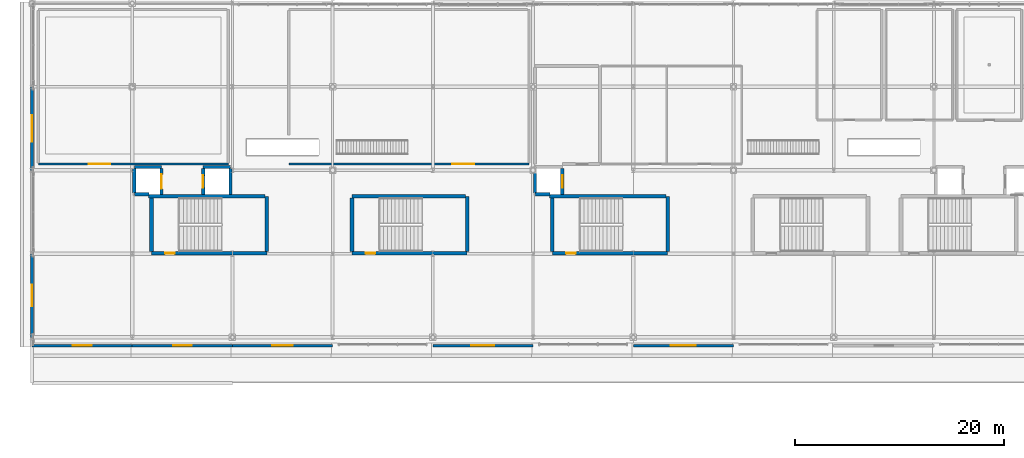
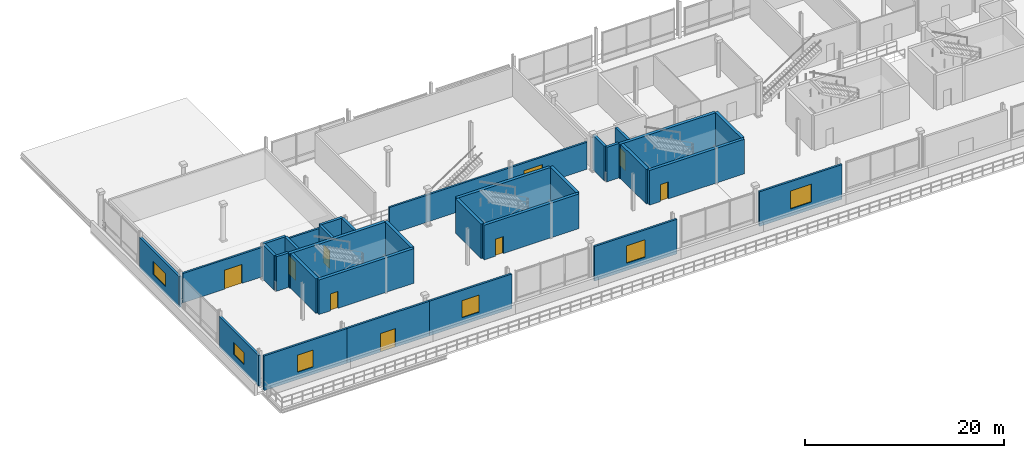
# One storey, part 23 of 36: 31 walls, 9 doors, 6 windows, 15 openings.
"""IFC4 building model written with IfcOpenShell, lengths in metres."""

from ifc_helpers import new_model, si_unit, direction, frame, frame_2d, origin, place, context, subcontext, project, spatial, rectangle, extrude, material, layer, layer_set, type_object, element, fill, save


model = new_model("IFC4")

# Units and contexts
model_context = context("Model", 3, precision=1e-05, world=origin(), true_north=direction((0.0, 1.0)))
body_context = subcontext(model_context, "Body", "Model", "MODEL_VIEW")
ifc_project = project(units=[si_unit("LENGTHUNIT", "METRE"), si_unit("AREAUNIT", "SQUARE_METRE"), si_unit("VOLUMEUNIT", "CUBIC_METRE"), si_unit("PLANEANGLEUNIT", "RADIAN"), si_unit("MASSUNIT", "GRAM", prefix="KILO")], contexts=[model_context])

# Site, building, storey
site_placement = place(None, origin())
site = spatial("IfcSite", under=ifc_project, at=site_placement, CompositionType="ELEMENT")
building_placement = place(site_placement, origin())
building = spatial("IfcBuilding", under=site, at=building_placement, Name="Danafjord Basin Convention Centre", CompositionType="ELEMENT")
storey_placement = place(building_placement, frame((0.0, 0.0, 20.39990234375)))
storey = spatial("IfcBuildingStorey", under=building, at=storey_placement, Name="L04", CompositionType="ELEMENT", Elevation=20.39990234375)

# Walls
ifc_material_1 = material(Name="Concrete C40/50", Category="concrete")
ifc_layer_1 = layer(ifc_material_1, 0.300048828125)
ifc_layer_set_1 = layer_set([ifc_layer_1], Name="Concrete C40/50")
wall_type_1 = type_object("IfcWallType", Name="WALL-CW-CORE300", PredefinedType="SHEAR", material=ifc_layer_set_1)
wall_1_placement = place(storey_placement, frame((12.39990234375, 24.300048828125, 0.0), z_axis=(0.0, 0.0, 1.0), x_axis=(-1.0, 0.0, 0.0)))
element("IfcWall", 1, at=wall_1_placement, inside=storey, type_object=wall_type_1, Name="Lift LF-FF01 shaft shear wall", PredefinedType="SHEAR", context=body_context, shape_type="SweptSolid", body=[
    extrude(rectangle(XDim=2.599853515625, YDim=0.300048828125, at=frame_2d((1.2998046875, 0.0))), origin(), (0.0, 0.0, 1.0), 4.25),
])
wall_2_placement = place(storey_placement, frame((9.800048828125, 21.699951171875, 0.0), z_axis=(0.0, 0.0, 1.0), x_axis=(1.0, 0.0, 0.0)))
element("IfcWall", 2, at=wall_2_placement, inside=storey, type_object=wall_type_1, Name="Lift LF-FF01 shaft shear wall", PredefinedType="SHEAR", context=body_context, shape_type="SweptSolid", body=[
    extrude(rectangle(XDim=1.39990234375, YDim=0.300048828125, at=frame_2d((0.699951171875, 0.0))), origin(), (0.0, 0.0, 1.0), 4.25),
])

# Wall, opening, door
wall_3_placement = place(storey_placement, frame((12.39990234375, 21.6650390625, 0.0), z_axis=(0.0, 0.0, 1.0), x_axis=(0.0, 1.0, 0.0)))
wall_3 = element("IfcWall", 3, at=wall_3_placement, inside=storey, type_object=wall_type_1, Name="Lift LF-FF01 shaft shear wall", PredefinedType="SHEAR", context=body_context, shape_type="SweptSolid", body=[
    extrude(rectangle(XDim=2.5, YDim=0.300048828125, at=frame_2d((1.25, 0.0))), origin(), (0.0, 0.0, 1.0), 4.25),
])
opening_1_placement = place(wall_3_placement, frame((0.550048828125, 0.0, 0.0)))
opening_1 = element("IfcOpeningElement", 4, at=opening_1_placement, cuts=wall_3, Name="Opening LD-F01", PredefinedType="OPENING", context=body_context, shape_type="SweptSolid", body=[
    extrude(rectangle(XDim=1.39990234375, YDim=2.260009765625, at=frame_2d((0.699951171875, 1.1298828125))), frame((0.0, 0.159912109375, 0.0), z_axis=(0.0, -1.0, 0.0), x_axis=(1.0, 0.0, 0.0)), (0.0, 0.0, 1.0), 0.320068359375),
])
ifc_material_2 = material(Name="Brushed stainless steel and acoustic laminated glass", Category="steel")
door_type_1 = type_object("IfcDoorType", Name="DOOR-LD-F01", OperationType="DOUBLE_DOOR_SLIDING", PredefinedType="DOOR", material=ifc_material_2)
door_1_placement = place(opening_1_placement, origin())
door_1 = element("IfcDoor", 5, at=door_1_placement, inside=storey, type_object=door_type_1, Name="Lift LF-FF01 L04 Landing Door", OperationType="DOUBLE_DOOR_SLIDING", OverallHeight=2.260009765625, OverallWidth=1.39990234375, PredefinedType="DOOR", context=body_context, shape_type="SweptSolid", body=[
    extrude(rectangle(XDim=1.39990234375, YDim=2.260009765625, at=frame_2d((0.699951171875, 1.1298828125))), frame((0.0, 0.02490234375, 0.0), z_axis=(0.0, -1.0, 0.0), x_axis=(1.0, 0.0, 0.0)), (0.0, 0.0, 1.0), 0.050048828125),
])
fill(opening_1, door_1)

# Walls
wall_4_placement = place(storey_placement, frame((9.800048828125, 24.1650390625, 0.0), z_axis=(0.0, 0.0, 1.0), x_axis=(0.0, -1.0, 0.0)))
element("IfcWall", 6, at=wall_4_placement, inside=storey, type_object=wall_type_1, Name="Lift LF-FF01 shaft shear wall", PredefinedType="SHEAR", context=body_context, shape_type="SweptSolid", body=[
    extrude(rectangle(XDim=2.330078125, YDim=0.300048828125, at=frame_2d((1.1650390625, 0.0))), origin(), (0.0, 0.0, 1.0), 4.25),
])
wall_5_placement = place(storey_placement, frame((19.0, 24.300048828125, 0.0), z_axis=(0.0, 0.0, 1.0), x_axis=(-1.0, 0.0, 0.0)))
element("IfcWall", 7, at=wall_5_placement, inside=storey, type_object=wall_type_1, Name="Lift LF-P01 shaft shear wall", PredefinedType="SHEAR", context=body_context, shape_type="SweptSolid", body=[
    extrude(rectangle(XDim=2.60009765625, YDim=0.300048828125, at=frame_2d((1.300048828125, 0.0))), origin(), (0.0, 0.0, 1.0), 4.25),
])
wall_6_placement = place(storey_placement, frame((19.0, 21.6650390625, 0.0), z_axis=(0.0, 0.0, 1.0), x_axis=(0.0, 1.0, 0.0)))
element("IfcWall", 8, at=wall_6_placement, inside=storey, type_object=wall_type_1, Name="Lift LF-P01 shaft shear wall", PredefinedType="SHEAR", context=body_context, shape_type="SweptSolid", body=[
    extrude(rectangle(XDim=2.5, YDim=0.300048828125, at=frame_2d((1.25, 0.0))), origin(), (0.0, 0.0, 1.0), 4.25),
])

# Wall, opening, door
wall_7_placement = place(storey_placement, frame((16.39990234375, 24.1650390625, 0.0), z_axis=(0.0, 0.0, 1.0), x_axis=(0.0, -1.0, 0.0)))
wall_7 = element("IfcWall", 9, at=wall_7_placement, inside=storey, type_object=wall_type_1, Name="Lift LF-P01 shaft shear wall", PredefinedType="SHEAR", context=body_context, shape_type="SweptSolid", body=[
    extrude(rectangle(XDim=2.5, YDim=0.300048828125, at=frame_2d((1.25, 0.0))), origin(), (0.0, 0.0, 1.0), 4.25),
])
opening_2_placement = place(wall_7_placement, frame((0.64990234375, 0.0, 0.0)))
opening_2 = element("IfcOpeningElement", 10, at=opening_2_placement, cuts=wall_7, Name="Opening LD-P01", PredefinedType="OPENING", context=body_context, shape_type="SweptSolid", body=[
    extrude(rectangle(XDim=1.199951171875, YDim=2.199951171875, at=frame_2d((0.60009765625, 1.10009765625))), frame((0.0, 0.159912109375, 0.0), z_axis=(0.0, -1.0, 0.0), x_axis=(1.0, 0.0, 0.0)), (0.0, 0.0, 1.0), 0.320068359375),
])
door_type_2 = type_object("IfcDoorType", Name="DOOR-LD-P01", OperationType="DOUBLE_DOOR_SLIDING", PredefinedType="DOOR", material=ifc_material_2)
door_2_placement = place(opening_2_placement, origin())
door_2 = element("IfcDoor", 11, at=door_2_placement, inside=storey, type_object=door_type_2, Name="Lift LF-P01 L04 Landing Door", OperationType="DOUBLE_DOOR_SLIDING", OverallHeight=2.199951171875, OverallWidth=1.199951171875, PredefinedType="DOOR", context=body_context, shape_type="SweptSolid", body=[
    extrude(rectangle(XDim=1.199951171875, YDim=2.199951171875, at=frame_2d((0.60009765625, 1.10009765625))), frame((0.0, 0.02490234375, 0.0), z_axis=(0.0, -1.0, 0.0), x_axis=(1.0, 0.0, 0.0)), (0.0, 0.0, 1.0), 0.050048828125),
])
fill(opening_2, door_2)

# Wall
wall_8_placement = place(storey_placement, frame((48.199951171875, 21.699951171875, 0.0), z_axis=(0.0, 0.0, 1.0), x_axis=(1.0, 0.0, 0.0)))
element("IfcWall", 12, at=wall_8_placement, inside=storey, type_object=wall_type_1, Name="Lift LF-P03 shaft shear wall", PredefinedType="SHEAR", context=body_context, shape_type="SweptSolid", body=[
    extrude(rectangle(XDim=1.400146484375, YDim=0.300048828125, at=frame_2d((0.7001953125, 0.0))), origin(), (0.0, 0.0, 1.0), 4.25),
])

# Wall, opening, door
wall_9_placement = place(storey_placement, frame((50.800048828125, 21.6650390625, 0.0), z_axis=(0.0, 0.0, 1.0), x_axis=(0.0, 1.0, 0.0)))
wall_9 = element("IfcWall", 13, at=wall_9_placement, inside=storey, type_object=wall_type_1, Name="Lift LF-P03 shaft shear wall", PredefinedType="SHEAR", context=body_context, shape_type="SweptSolid", body=[
    extrude(rectangle(XDim=2.5, YDim=0.300048828125, at=frame_2d((1.25, 0.0))), origin(), (0.0, 0.0, 1.0), 4.25),
])
opening_3_placement = place(wall_9_placement, frame((0.64990234375, 0.0, 0.0)))
opening_3 = element("IfcOpeningElement", 14, at=opening_3_placement, cuts=wall_9, Name="Opening LD-P01", PredefinedType="OPENING", context=body_context, shape_type="SweptSolid", body=[
    extrude(rectangle(XDim=1.199951171875, YDim=2.199951171875, at=frame_2d((0.60009765625, 1.10009765625))), frame((0.0, 0.159912109375, 0.0), z_axis=(0.0, -1.0, 0.0), x_axis=(1.0, 0.0, 0.0)), (0.0, 0.0, 1.0), 0.320068359375),
])
door_3_placement = place(opening_3_placement, origin())
door_3 = element("IfcDoor", 15, at=door_3_placement, inside=storey, type_object=door_type_2, Name="Lift LF-P03 L04 Landing Door", OperationType="DOUBLE_DOOR_SLIDING", OverallHeight=2.199951171875, OverallWidth=1.199951171875, PredefinedType="DOOR", context=body_context, shape_type="SweptSolid", body=[
    extrude(rectangle(XDim=1.199951171875, YDim=2.199951171875, at=frame_2d((0.60009765625, 1.10009765625))), frame((0.0, 0.02490234375, 0.0), z_axis=(0.0, -1.0, 0.0), x_axis=(1.0, 0.0, 0.0)), (0.0, 0.0, 1.0), 0.050048828125),
])
fill(opening_3, door_3)

# Wall
wall_10_placement = place(storey_placement, frame((48.199951171875, 24.1650390625, 0.0), z_axis=(0.0, 0.0, 1.0), x_axis=(0.0, -1.0, 0.0)))
element("IfcWall", 16, at=wall_10_placement, inside=storey, type_object=wall_type_1, Name="Lift LF-P03 shaft shear wall", PredefinedType="SHEAR", context=body_context, shape_type="SweptSolid", body=[
    extrude(rectangle(XDim=2.330078125, YDim=0.300048828125, at=frame_2d((1.1650390625, 0.0))), origin(), (0.0, 0.0, 1.0), 4.25),
])

# Wall, opening, door
ifc_material_3 = material(Name="Concrete C45/55", Category="concrete")
ifc_layer_2 = layer(ifc_material_3, 0.35009765625)
ifc_layer_set_2 = layer_set([ifc_layer_2], Name="Concrete C45/55")
wall_type_2 = type_object("IfcWallType", Name="WALL-CW-CORE350", PredefinedType="SHEAR", material=ifc_layer_set_2)
wall_11_placement = place(storey_placement, frame((11.449951171875, 16.050048828125, 0.0), z_axis=(0.0, 0.0, 1.0), x_axis=(1.0, 0.0, 0.0)))
wall_11 = element("IfcWall", 17, at=wall_11_placement, inside=storey, type_object=wall_type_2, Name="West Harbour Core Stair 1 core shear wall (south)", PredefinedType="SHEAR", context=body_context, shape_type="SweptSolid", body=[
    extrude(rectangle(XDim=11.0400390625, YDim=0.35009765625, at=frame_2d((5.52001953125, 0.0))), origin(), (0.0, 0.0, 1.0), 4.25),
])
opening_4_placement = place(wall_11_placement, frame((1.31201171875, 0.0, 0.0)))
opening_4 = element("IfcOpeningElement", 18, at=opening_4_placement, cuts=wall_11, Name="Opening FD-S01", PredefinedType="OPENING", context=body_context, shape_type="SweptSolid", body=[
    extrude(rectangle(XDim=0.909912109375, YDim=2.080078125, at=frame_2d((0.455078125, 1.0400390625))), frame((0.0, 0.18505859375, 0.0), z_axis=(0.0, -1.0, 0.0), x_axis=(1.0, 0.0, 0.0)), (0.0, 0.0, 1.0), 0.3701171875),
])
ifc_material_4 = material(Name="Powder-coated steel and Nordic oak", Category="steel")
door_type_3 = type_object("IfcDoorType", Name="DOOR-FD-S01", OperationType="NOTDEFINED", PredefinedType="DOOR", material=ifc_material_4)
door_4_placement = place(opening_4_placement, origin())
door_4 = element("IfcDoor", 19, at=door_4_placement, inside=storey, type_object=door_type_3, Name="West Harbour Core Stair 1 L04 Fire Exit Door", OperationType="SINGLE_SWING_RIGHT", OverallHeight=2.080078125, OverallWidth=0.909912109375, PredefinedType="DOOR", context=body_context, shape_type="SweptSolid", body=[
    extrude(rectangle(XDim=0.909912109375, YDim=2.080078125, at=frame_2d((0.455078125, 1.0400390625))), frame((0.0, 0.02490234375, 0.0), z_axis=(0.0, -1.0, 0.0), x_axis=(1.0, 0.0, 0.0)), (0.0, 0.0, 1.0), 0.050048828125),
])
fill(opening_4, door_4)

# Walls
wall_12_placement = place(storey_placement, frame((22.489990234375, 16.2099609375, 0.0), z_axis=(0.0, 0.0, 1.0), x_axis=(0.0, 1.0, 0.0)))
element("IfcWall", 20, at=wall_12_placement, inside=storey, type_object=wall_type_2, Name="West Harbour Core Stair 1 core shear wall (east)", PredefinedType="SHEAR", context=body_context, shape_type="SweptSolid", body=[
    extrude(rectangle(XDim=5.300048828125, YDim=0.35009765625, at=frame_2d((2.64990234375, 0.0))), origin(), (0.0, 0.0, 1.0), 4.25),
])
wall_13_placement = place(storey_placement, frame((22.330078125, 21.510009765625, 0.0), z_axis=(0.0, 0.0, 1.0), x_axis=(-1.0, 0.0, 0.0)))
element("IfcWall", 21, at=wall_13_placement, inside=storey, type_object=wall_type_2, Name="West Harbour Core Stair 1 core shear wall (north)", PredefinedType="SHEAR", context=body_context, shape_type="SweptSolid", body=[
    extrude(rectangle(XDim=11.150146484375, YDim=0.35009765625, at=frame_2d((5.5751953125, 0.0))), origin(), (0.0, 0.0, 1.0), 4.25),
])
wall_14_placement = place(storey_placement, frame((11.449951171875, 21.35009765625, 0.0), z_axis=(0.0, 0.0, 1.0), x_axis=(0.0, -1.0, 0.0)))
element("IfcWall", 22, at=wall_14_placement, inside=storey, type_object=wall_type_2, Name="West Harbour Core Stair 1 core shear wall (west)", PredefinedType="SHEAR", context=body_context, shape_type="SweptSolid", body=[
    extrude(rectangle(XDim=5.14013671875, YDim=0.35009765625, at=frame_2d((2.570068359375, 0.0))), origin(), (0.0, 0.0, 1.0), 4.25),
])

# Wall, opening, door
wall_15_placement = place(storey_placement, frame((49.85009765625, 16.050048828125, 0.0), z_axis=(0.0, 0.0, 1.0), x_axis=(1.0, 0.0, 0.0)))
wall_15 = element("IfcWall", 23, at=wall_15_placement, inside=storey, type_object=wall_type_2, Name="Mid-Arc Meeting Core Stair 1 core shear wall (south)", PredefinedType="SHEAR", context=body_context, shape_type="SweptSolid", body=[
    extrude(rectangle(XDim=11.039794921875, YDim=0.35009765625, at=frame_2d((5.52001953125, 0.0))), origin(), (0.0, 0.0, 1.0), 4.25),
])
opening_5_placement = place(wall_15_placement, frame((1.31201171875, 0.0, 0.0)))
opening_5 = element("IfcOpeningElement", 24, at=opening_5_placement, cuts=wall_15, Name="Opening FD-S01", PredefinedType="OPENING", context=body_context, shape_type="SweptSolid", body=[
    extrude(rectangle(XDim=0.909912109375, YDim=2.080078125, at=frame_2d((0.455078125, 1.0400390625))), frame((0.0, 0.18505859375, 0.0), z_axis=(0.0, -1.0, 0.0), x_axis=(1.0, 0.0, 0.0)), (0.0, 0.0, 1.0), 0.3701171875),
])
door_5_placement = place(opening_5_placement, origin())
door_5 = element("IfcDoor", 25, at=door_5_placement, inside=storey, type_object=door_type_3, Name="Mid-Arc Meeting Core Stair 1 L04 Fire Exit Door", OperationType="SINGLE_SWING_RIGHT", OverallHeight=2.080078125, OverallWidth=0.909912109375, PredefinedType="DOOR", context=body_context, shape_type="SweptSolid", body=[
    extrude(rectangle(XDim=0.909912109375, YDim=2.080078125, at=frame_2d((0.455078125, 1.0400390625))), frame((0.0, 0.02490234375, 0.0), z_axis=(0.0, -1.0, 0.0), x_axis=(1.0, 0.0, 0.0)), (0.0, 0.0, 1.0), 0.050048828125),
])
fill(opening_5, door_5)

# Walls
wall_16_placement = place(storey_placement, frame((60.889892578125, 16.2099609375, 0.0), z_axis=(0.0, 0.0, 1.0), x_axis=(0.0, 1.0, 0.0)))
element("IfcWall", 26, at=wall_16_placement, inside=storey, type_object=wall_type_2, Name="Mid-Arc Meeting Core Stair 1 core shear wall (east)", PredefinedType="SHEAR", context=body_context, shape_type="SweptSolid", body=[
    extrude(rectangle(XDim=5.300048828125, YDim=0.35009765625, at=frame_2d((2.64990234375, 0.0))), origin(), (0.0, 0.0, 1.0), 4.25),
])
wall_17_placement = place(storey_placement, frame((60.72998046875, 21.510009765625, 0.0), z_axis=(0.0, 0.0, 1.0), x_axis=(-1.0, 0.0, 0.0)))
element("IfcWall", 27, at=wall_17_placement, inside=storey, type_object=wall_type_2, Name="Mid-Arc Meeting Core Stair 1 core shear wall (north)", PredefinedType="SHEAR", context=body_context, shape_type="SweptSolid", body=[
    extrude(rectangle(XDim=11.14990234375, YDim=0.35009765625, at=frame_2d((5.574951171875, 0.0))), origin(), (0.0, 0.0, 1.0), 4.25),
])
wall_18_placement = place(storey_placement, frame((49.85009765625, 21.35009765625, 0.0), z_axis=(0.0, 0.0, 1.0), x_axis=(0.0, -1.0, 0.0)))
element("IfcWall", 28, at=wall_18_placement, inside=storey, type_object=wall_type_2, Name="Mid-Arc Meeting Core Stair 1 core shear wall (west)", PredefinedType="SHEAR", context=body_context, shape_type="SweptSolid", body=[
    extrude(rectangle(XDim=5.14013671875, YDim=0.35009765625, at=frame_2d((2.570068359375, 0.0))), origin(), (0.0, 0.0, 1.0), 4.25),
])

# Wall, opening, door
wall_19_placement = place(storey_placement, frame((30.64990234375, 16.050048828125, 0.0), z_axis=(0.0, 0.0, 1.0), x_axis=(1.0, 0.0, 0.0)))
wall_19 = element("IfcWall", 29, at=wall_19_placement, inside=storey, type_object=wall_type_2, Name="West Harbour Escape Stair 2 core shear wall (south)", PredefinedType="SHEAR", context=body_context, shape_type="SweptSolid", body=[
    extrude(rectangle(XDim=11.0400390625, YDim=0.35009765625, at=frame_2d((5.52001953125, 0.0))), origin(), (0.0, 0.0, 1.0), 4.25),
])
opening_6_placement = place(wall_19_placement, frame((1.31201171875, 0.0, 0.0)))
opening_6 = element("IfcOpeningElement", 30, at=opening_6_placement, cuts=wall_19, Name="Opening FD-S01", PredefinedType="OPENING", context=body_context, shape_type="SweptSolid", body=[
    extrude(rectangle(XDim=0.909912109375, YDim=2.080078125, at=frame_2d((0.455078125, 1.0400390625))), frame((0.0, 0.18505859375, 0.0), z_axis=(0.0, -1.0, 0.0), x_axis=(1.0, 0.0, 0.0)), (0.0, 0.0, 1.0), 0.3701171875),
])
door_6_placement = place(opening_6_placement, origin())
door_6 = element("IfcDoor", 31, at=door_6_placement, inside=storey, type_object=door_type_3, Name="West Harbour Escape Stair 2 L04 Fire Exit Door", OperationType="SINGLE_SWING_LEFT", OverallHeight=2.080078125, OverallWidth=0.909912109375, PredefinedType="DOOR", context=body_context, shape_type="SweptSolid", body=[
    extrude(rectangle(XDim=0.909912109375, YDim=2.080078125, at=frame_2d((0.455078125, 1.0400390625))), frame((0.0, 0.02490234375, 0.0), z_axis=(0.0, -1.0, 0.0), x_axis=(1.0, 0.0, 0.0)), (0.0, 0.0, 1.0), 0.050048828125),
])
fill(opening_6, door_6)

# Walls
wall_20_placement = place(storey_placement, frame((41.68994140625, 16.2099609375, 0.0), z_axis=(0.0, 0.0, 1.0), x_axis=(0.0, 1.0, 0.0)))
element("IfcWall", 32, at=wall_20_placement, inside=storey, type_object=wall_type_2, Name="West Harbour Escape Stair 2 core shear wall (east)", PredefinedType="SHEAR", context=body_context, shape_type="SweptSolid", body=[
    extrude(rectangle(XDim=5.300048828125, YDim=0.35009765625, at=frame_2d((2.64990234375, 0.0))), origin(), (0.0, 0.0, 1.0), 4.25),
])
wall_21_placement = place(storey_placement, frame((41.530029296875, 21.510009765625, 0.0), z_axis=(0.0, 0.0, 1.0), x_axis=(-1.0, 0.0, 0.0)))
element("IfcWall", 33, at=wall_21_placement, inside=storey, type_object=wall_type_2, Name="West Harbour Escape Stair 2 core shear wall (north)", PredefinedType="SHEAR", context=body_context, shape_type="SweptSolid", body=[
    extrude(rectangle(XDim=10.880126953125, YDim=0.35009765625, at=frame_2d((5.43994140625, 0.0))), origin(), (0.0, 0.0, 1.0), 4.25),
])
wall_22_placement = place(storey_placement, frame((30.64990234375, 21.35009765625, 0.0), z_axis=(0.0, 0.0, 1.0), x_axis=(0.0, -1.0, 0.0)))
element("IfcWall", 34, at=wall_22_placement, inside=storey, type_object=wall_type_2, Name="West Harbour Escape Stair 2 core shear wall (west)", PredefinedType="SHEAR", context=body_context, shape_type="SweptSolid", body=[
    extrude(rectangle(XDim=5.14013671875, YDim=0.35009765625, at=frame_2d((2.570068359375, 0.0))), origin(), (0.0, 0.0, 1.0), 4.25),
])

# Wall, opening, window
ifc_material_5 = material(Name="Concrete C35/45", Category="concrete")
ifc_layer_3 = layer(ifc_material_5, 0.22998046875)
ifc_layer_set_3 = layer_set([ifc_layer_3], Name="Concrete C35/45")
wall_type_3 = type_object("IfcWallType", Name="WALL-EW-STD230", PredefinedType="STANDARD", material=ifc_layer_set_3)
wall_23_placement = place(storey_placement, frame((0.0, 7.199951171875, 0.0), z_axis=(0.0, 0.0, 1.0), x_axis=(1.0, 0.0, 0.0)))
wall_23 = element("IfcWall", 35, at=wall_23_placement, inside=storey, type_object=wall_type_3, Name="L04 harbourfront precast facade bay 1", PredefinedType="STANDARD", context=body_context, shape_type="SweptSolid", body=[
    extrude(rectangle(XDim=9.60009765625, YDim=0.22998046875, at=frame_2d((4.800048828125, 0.0))), origin(), (0.0, 0.0, 1.0), 4.260009765625),
])
opening_7_placement = place(wall_23_placement, frame((3.89990234375, 0.0, 0.89990234375)))
opening_7 = element("IfcOpeningElement", 36, at=opening_7_placement, cuts=wall_23, Name="Opening WN-04", PredefinedType="OPENING", context=body_context, shape_type="SweptSolid", body=[
    extrude(rectangle(XDim=1.800048828125, YDim=2.10009765625, at=frame_2d((0.89990234375, 1.050048828125))), frame((0.0, 0.125, 0.0), z_axis=(0.0, -1.0, 0.0), x_axis=(1.0, 0.0, 0.0)), (0.0, 0.0, 1.0), 0.25),
])
ifc_material_6 = material(Name="Thermally broken aluminium and triple low-E glass", Category="aluminium")
window_type_1 = type_object("IfcWindowType", Name="WIN-WN-04", PartitioningType="SINGLE_PANEL", PredefinedType="WINDOW", material=ifc_material_6)
window_1_placement = place(opening_7_placement, origin())
window_1 = element("IfcWindow", 37, at=window_1_placement, inside=storey, type_object=window_type_1, Name="L04 harbour window WN-04", OverallHeight=2.10009765625, OverallWidth=1.800048828125, PartitioningType="SINGLE_PANEL", PredefinedType="WINDOW", context=body_context, shape_type="SweptSolid", body=[
    extrude(rectangle(XDim=1.800048828125, YDim=2.10009765625, at=frame_2d((0.89990234375, 1.050048828125))), frame((0.0, 0.030029296875, 0.0), z_axis=(0.0, -1.0, 0.0), x_axis=(1.0, 0.0, 0.0)), (0.0, 0.0, 1.0), 0.06005859375),
])
fill(opening_7, window_1)

# Wall, opening, door
wall_24_placement = place(storey_placement, frame((9.60009765625, 7.199951171875, 0.0), z_axis=(0.0, 0.0, 1.0), x_axis=(1.0, 0.0, 0.0)))
wall_24 = element("IfcWall", 38, at=wall_24_placement, inside=storey, type_object=wall_type_3, Name="L04 harbourfront precast facade bay 2", PredefinedType="STANDARD", context=body_context, shape_type="SweptSolid", body=[
    extrude(rectangle(XDim=9.599853515625, YDim=0.22998046875, at=frame_2d((4.7998046875, 0.0))), origin(), (0.0, 0.0, 1.0), 4.260009765625),
])
opening_8_placement = place(wall_24_placement, frame((3.919921875, 0.0, 0.0)))
opening_8 = element("IfcOpeningElement", 39, at=opening_8_placement, cuts=wall_24, Name="Opening ED-04", PredefinedType="OPENING", context=body_context, shape_type="SweptSolid", body=[
    extrude(rectangle(XDim=1.760009765625, YDim=2.280029296875, at=frame_2d((0.8798828125, 1.14013671875))), frame((0.0, 0.125, 0.0), z_axis=(0.0, -1.0, 0.0), x_axis=(1.0, 0.0, 0.0)), (0.0, 0.0, 1.0), 0.25),
])
ifc_material_7 = material(Name="Thermally broken anodised aluminium and steel", Category="steel")
door_type_4 = type_object("IfcDoorType", Name="DOOR-ED-04", OperationType="DOUBLE_DOOR_SINGLE_SWING", PredefinedType="DOOR", material=ifc_material_7)
door_7_placement = place(opening_8_placement, origin())
door_7 = element("IfcDoor", 40, at=door_7_placement, inside=storey, type_object=door_type_4, Name="L04 Harbour Terrace Access Door", OperationType="DOUBLE_DOOR_SINGLE_SWING", OverallHeight=2.280029296875, OverallWidth=1.760009765625, PredefinedType="DOOR", context=body_context, shape_type="SweptSolid", body=[
    extrude(rectangle(XDim=1.760009765625, YDim=2.280029296875, at=frame_2d((0.8798828125, 1.14013671875))), frame((0.0, 0.02490234375, 0.0), z_axis=(0.0, -1.0, 0.0), x_axis=(1.0, 0.0, 0.0)), (0.0, 0.0, 1.0), 0.050048828125),
])
fill(opening_8, door_7)

# Wall, opening, window
wall_25_placement = place(storey_placement, frame((19.199951171875, 7.199951171875, 0.0), z_axis=(0.0, 0.0, 1.0), x_axis=(1.0, 0.0, 0.0)))
wall_25 = element("IfcWall", 41, at=wall_25_placement, inside=storey, type_object=wall_type_3, Name="L04 harbourfront precast facade bay 3", PredefinedType="STANDARD", context=body_context, shape_type="SweptSolid", body=[
    extrude(rectangle(XDim=9.60009765625, YDim=0.22998046875, at=frame_2d((4.800048828125, 0.0))), origin(), (0.0, 0.0, 1.0), 4.260009765625),
])
opening_9_placement = place(wall_25_placement, frame((3.800048828125, 0.0, 0.89990234375)))
opening_9 = element("IfcOpeningElement", 42, at=opening_9_placement, cuts=wall_25, Name="Opening WN-05", PredefinedType="OPENING", context=body_context, shape_type="SweptSolid", body=[
    extrude(rectangle(XDim=2.0, YDim=2.10009765625, at=frame_2d((1.0, 1.050048828125))), frame((0.0, 0.125, 0.0), z_axis=(0.0, -1.0, 0.0), x_axis=(1.0, 0.0, 0.0)), (0.0, 0.0, 1.0), 0.25),
])
window_type_2 = type_object("IfcWindowType", Name="WIN-WN-05", PartitioningType="SINGLE_PANEL", PredefinedType="WINDOW", material=ifc_material_6)
window_2_placement = place(opening_9_placement, origin())
window_2 = element("IfcWindow", 43, at=window_2_placement, inside=storey, type_object=window_type_2, Name="L04 harbour window WN-05", OverallHeight=2.10009765625, OverallWidth=2.0, PartitioningType="SINGLE_PANEL", PredefinedType="WINDOW", context=body_context, shape_type="SweptSolid", body=[
    extrude(rectangle(XDim=2.0, YDim=2.10009765625, at=frame_2d((1.0, 1.050048828125))), frame((0.0, 0.030029296875, 0.0), z_axis=(0.0, -1.0, 0.0), x_axis=(1.0, 0.0, 0.0)), (0.0, 0.0, 1.0), 0.06005859375),
])
fill(opening_9, window_2)

wall_26_placement = place(storey_placement, frame((38.39990234375, 7.199951171875, 0.0), z_axis=(0.0, 0.0, 1.0), x_axis=(1.0, 0.0, 0.0)))
wall_26 = element("IfcWall", 44, at=wall_26_placement, inside=storey, type_object=wall_type_3, Name="L04 harbourfront precast facade bay 5", PredefinedType="STANDARD", context=body_context, shape_type="SweptSolid", body=[
    extrude(rectangle(XDim=9.60009765625, YDim=0.22998046875, at=frame_2d((4.800048828125, 0.0))), origin(), (0.0, 0.0, 1.0), 4.260009765625),
])
opening_10_placement = place(wall_26_placement, frame((3.699951171875, 0.0, 0.89990234375)))
opening_10 = element("IfcOpeningElement", 45, at=opening_10_placement, cuts=wall_26, Name="Opening WN-06", PredefinedType="OPENING", context=body_context, shape_type="SweptSolid", body=[
    extrude(rectangle(XDim=2.199951171875, YDim=2.14990234375, at=frame_2d((1.10009765625, 1.074951171875))), frame((0.0, 0.125, 0.0), z_axis=(0.0, -1.0, 0.0), x_axis=(1.0, 0.0, 0.0)), (0.0, 0.0, 1.0), 0.25),
])
window_type_3 = type_object("IfcWindowType", Name="WIN-WN-06", PartitioningType="SINGLE_PANEL", PredefinedType="WINDOW", material=ifc_material_6)
window_3_placement = place(opening_10_placement, origin())
window_3 = element("IfcWindow", 46, at=window_3_placement, inside=storey, type_object=window_type_3, Name="L04 harbour window WN-06", OverallHeight=2.14990234375, OverallWidth=2.199951171875, PartitioningType="SINGLE_PANEL", PredefinedType="WINDOW", context=body_context, shape_type="SweptSolid", body=[
    extrude(rectangle(XDim=2.199951171875, YDim=2.14990234375, at=frame_2d((1.10009765625, 1.074951171875))), frame((0.0, 0.030029296875, 0.0), z_axis=(0.0, -1.0, 0.0), x_axis=(1.0, 0.0, 0.0)), (0.0, 0.0, 1.0), 0.06005859375),
])
fill(opening_10, window_3)

wall_27_placement = place(storey_placement, frame((57.60009765625, 7.199951171875, 0.0), z_axis=(0.0, 0.0, 1.0), x_axis=(1.0, 0.0, 0.0)))
wall_27 = element("IfcWall", 47, at=wall_27_placement, inside=storey, type_object=wall_type_3, Name="L04 harbourfront precast facade bay 7", PredefinedType="STANDARD", context=body_context, shape_type="SweptSolid", body=[
    extrude(rectangle(XDim=9.599853515625, YDim=0.22998046875, at=frame_2d((4.7998046875, 0.0))), origin(), (0.0, 0.0, 1.0), 4.260009765625),
])
opening_11_placement = place(wall_27_placement, frame((3.60009765625, 0.0, 0.89990234375)))
opening_11 = element("IfcOpeningElement", 48, at=opening_11_placement, cuts=wall_27, Name="Opening WN-07", PredefinedType="OPENING", context=body_context, shape_type="SweptSolid", body=[
    extrude(rectangle(XDim=2.39990234375, YDim=2.199951171875, at=frame_2d((1.199951171875, 1.10009765625))), frame((0.0, 0.125, 0.0), z_axis=(0.0, -1.0, 0.0), x_axis=(1.0, 0.0, 0.0)), (0.0, 0.0, 1.0), 0.25),
])
window_type_4 = type_object("IfcWindowType", Name="WIN-WN-07", PartitioningType="SINGLE_PANEL", PredefinedType="WINDOW", material=ifc_material_6)
window_4_placement = place(opening_11_placement, origin())
window_4 = element("IfcWindow", 49, at=window_4_placement, inside=storey, type_object=window_type_4, Name="L04 harbour window WN-07", OverallHeight=2.199951171875, OverallWidth=2.39990234375, PartitioningType="SINGLE_PANEL", PredefinedType="WINDOW", context=body_context, shape_type="SweptSolid", body=[
    extrude(rectangle(XDim=2.39990234375, YDim=2.199951171875, at=frame_2d((1.199951171875, 1.10009765625))), frame((0.0, 0.030029296875, 0.0), z_axis=(0.0, -1.0, 0.0), x_axis=(1.0, 0.0, 0.0)), (0.0, 0.0, 1.0), 0.06005859375),
])
fill(opening_11, window_4)

ifc_layer_4 = layer(ifc_material_5, 0.260009765625)
ifc_layer_set_4 = layer_set([ifc_layer_4], Name="Concrete C35/45")
wall_type_4 = type_object("IfcWallType", Name="WALL-EW-STD260", PredefinedType="STANDARD", material=ifc_layer_set_4)
wall_28_placement = place(storey_placement, frame((0.0, 8.0, 0.0), z_axis=(0.0, 0.0, 1.0), x_axis=(0.0, 1.0, 0.0)))
wall_28 = element("IfcWall", 50, at=wall_28_placement, inside=storey, type_object=wall_type_4, Name="L04 W wing facade wall", PredefinedType="STANDARD", context=body_context, shape_type="SweptSolid", body=[
    extrude(rectangle(XDim=8.0, YDim=0.260009765625, at=frame_2d((4.0, 0.0))), origin(), (0.0, 0.0, 1.0), 3.780029296875),
])
opening_12_placement = place(wall_28_placement, frame((2.949951171875, 0.0, 0.89990234375)))
opening_12 = element("IfcOpeningElement", 51, at=opening_12_placement, cuts=wall_28, Name="Opening WN-16", PredefinedType="OPENING", context=body_context, shape_type="SweptSolid", body=[
    extrude(rectangle(XDim=2.10009765625, YDim=1.5, at=frame_2d((1.050048828125, 0.75))), frame((0.0, 0.139892578125, 0.0), z_axis=(0.0, -1.0, 0.0), x_axis=(1.0, 0.0, 0.0)), (0.0, 0.0, 1.0), 0.280029296875),
])
window_type_5 = type_object("IfcWindowType", Name="WIN-WN-16", PartitioningType="SINGLE_PANEL", PredefinedType="WINDOW", material=ifc_material_6)
window_5_placement = place(opening_12_placement, origin())
window_5 = element("IfcWindow", 52, at=window_5_placement, inside=storey, type_object=window_type_5, Name="L04 W window WN-16", OverallHeight=1.5, OverallWidth=2.10009765625, PartitioningType="SINGLE_PANEL", PredefinedType="WINDOW", context=body_context, shape_type="SweptSolid", body=[
    extrude(rectangle(XDim=2.10009765625, YDim=1.5, at=frame_2d((1.050048828125, 0.75))), frame((0.0, 0.030029296875, 0.0), z_axis=(0.0, -1.0, 0.0), x_axis=(1.0, 0.0, 0.0)), (0.0, 0.0, 1.0), 0.06005859375),
])
fill(opening_12, window_5)

wall_29_placement = place(storey_placement, frame((0.0, 24.0, 0.0), z_axis=(0.0, 0.0, 1.0), x_axis=(0.0, 1.0, 0.0)))
wall_29 = element("IfcWall", 53, at=wall_29_placement, inside=storey, type_object=wall_type_4, Name="L04 W wing facade wall", PredefinedType="STANDARD", context=body_context, shape_type="SweptSolid", body=[
    extrude(rectangle(XDim=8.0, YDim=0.260009765625, at=frame_2d((4.0, 0.0))), origin(), (0.0, 0.0, 1.0), 3.780029296875),
])
opening_13_placement = place(wall_29_placement, frame((2.75, 0.0, 0.89990234375)))
opening_13 = element("IfcOpeningElement", 54, at=opening_13_placement, cuts=wall_29, Name="Opening WN-17", PredefinedType="OPENING", context=body_context, shape_type="SweptSolid", body=[
    extrude(rectangle(XDim=2.5, YDim=1.60009765625, at=frame_2d((1.25, 0.800048828125))), frame((0.0, 0.139892578125, 0.0), z_axis=(0.0, -1.0, 0.0), x_axis=(1.0, 0.0, 0.0)), (0.0, 0.0, 1.0), 0.280029296875),
])
window_type_6 = type_object("IfcWindowType", Name="WIN-WN-17", PartitioningType="SINGLE_PANEL", PredefinedType="WINDOW", material=ifc_material_6)
window_6_placement = place(opening_13_placement, origin())
window_6 = element("IfcWindow", 55, at=window_6_placement, inside=storey, type_object=window_type_6, Name="L04 W window WN-17", OverallHeight=1.60009765625, OverallWidth=2.5, PartitioningType="SINGLE_PANEL", PredefinedType="WINDOW", context=body_context, shape_type="SweptSolid", body=[
    extrude(rectangle(XDim=2.5, YDim=1.60009765625, at=frame_2d((1.25, 0.800048828125))), frame((0.0, 0.030029296875, 0.0), z_axis=(0.0, -1.0, 0.0), x_axis=(1.0, 0.0, 0.0)), (0.0, 0.0, 1.0), 0.06005859375),
])
fill(opening_13, window_6)

# Wall, opening, door
ifc_material_8 = material(Name="Acoustic twin-stud gypsum and mineral wool")
ifc_layer_5 = layer(ifc_material_8, 0.219970703125)
ifc_layer_set_5 = layer_set([ifc_layer_5], Name="Acoustic twin-stud gypsum and mineral wool")
wall_type_5 = type_object("IfcWallType", Name="WALL-PT-AC220", PredefinedType="PARTITIONING", material=ifc_layer_set_5)
wall_30_placement = place(storey_placement, frame((0.60009765625, 24.60009765625, 0.0), z_axis=(0.0, 0.0, 1.0), x_axis=(1.0, 0.0, 0.0)))
wall_30 = element("IfcWall", 56, at=wall_30_placement, inside=storey, type_object=wall_type_5, Name="Bilateral Conference Suite S401 south partition", PredefinedType="PARTITIONING", context=body_context, shape_type="SweptSolid", body=[
    extrude(rectangle(XDim=18.199951171875, YDim=0.219970703125, at=frame_2d((9.10009765625, 0.0))), origin(), (0.0, 0.0, 1.0), 3.6201171875),
])
opening_14_placement = place(wall_30_placement, frame((4.85400390625, 0.0, 0.0)))
opening_14 = element("IfcOpeningElement", 57, at=opening_14_placement, cuts=wall_30, Name="Opening FD-D06", PredefinedType="OPENING", context=body_context, shape_type="SweptSolid", body=[
    extrude(rectangle(XDim=2.02001953125, YDim=2.340087890625, at=frame_2d((1.010009765625, 1.169921875))), frame((0.0, 0.119873046875, 0.0), z_axis=(0.0, -1.0, 0.0), x_axis=(1.0, 0.0, 0.0)), (0.0, 0.0, 1.0), 0.239990234375),
])
door_type_5 = type_object("IfcDoorType", Name="DOOR-FD-D06", OperationType="DOUBLE_DOOR_SINGLE_SWING", PredefinedType="DOOR", material=ifc_material_2)
door_8_placement = place(opening_14_placement, origin())
door_8 = element("IfcDoor", 58, at=door_8_placement, inside=storey, type_object=door_type_5, Name="Bilateral Conference Suite S401 Entrance Door", OperationType="DOUBLE_DOOR_SINGLE_SWING", OverallHeight=2.340087890625, OverallWidth=2.02001953125, PredefinedType="DOOR", context=body_context, shape_type="SweptSolid", body=[
    extrude(rectangle(XDim=2.02001953125, YDim=2.340087890625, at=frame_2d((1.010009765625, 1.169921875))), frame((0.0, 0.02490234375, 0.0), z_axis=(0.0, -1.0, 0.0), x_axis=(1.0, 0.0, 0.0)), (0.0, 0.0, 1.0), 0.050048828125),
])
fill(opening_14, door_8)

wall_31_placement = place(storey_placement, frame((24.60009765625, 24.60009765625, 0.0), z_axis=(0.0, 0.0, 1.0), x_axis=(1.0, 0.0, 0.0)))
wall_31 = element("IfcWall", 59, at=wall_31_placement, inside=storey, type_object=wall_type_5, Name="Nordic Council Conference Room C401 south partition", PredefinedType="PARTITIONING", context=body_context, shape_type="SweptSolid", body=[
    extrude(rectangle(XDim=23.0, YDim=0.219970703125, at=frame_2d((11.5, 0.0))), origin(), (0.0, 0.0, 1.0), 3.320068359375),
])
opening_15_placement = place(wall_31_placement, frame((15.659912109375, 0.0, 0.0)))
opening_15 = element("IfcOpeningElement", 60, at=opening_15_placement, cuts=wall_31, Name="Opening FD-D07", PredefinedType="OPENING", context=body_context, shape_type="SweptSolid", body=[
    extrude(rectangle(XDim=2.1201171875, YDim=2.3798828125, at=frame_2d((1.06005859375, 1.18994140625))), frame((0.0, 0.119873046875, 0.0), z_axis=(0.0, -1.0, 0.0), x_axis=(1.0, 0.0, 0.0)), (0.0, 0.0, 1.0), 0.239990234375),
])
door_type_6 = type_object("IfcDoorType", Name="DOOR-FD-D07", OperationType="DOUBLE_DOOR_SINGLE_SWING", PredefinedType="DOOR", material=ifc_material_2)
door_9_placement = place(opening_15_placement, origin())
door_9 = element("IfcDoor", 61, at=door_9_placement, inside=storey, type_object=door_type_6, Name="Nordic Council Conference Room C401 Entrance Door", OperationType="DOUBLE_DOOR_SINGLE_SWING", OverallHeight=2.3798828125, OverallWidth=2.1201171875, PredefinedType="DOOR", context=body_context, shape_type="SweptSolid", body=[
    extrude(rectangle(XDim=2.1201171875, YDim=2.3798828125, at=frame_2d((1.06005859375, 1.18994140625))), frame((0.0, 0.02490234375, 0.0), z_axis=(0.0, -1.0, 0.0), x_axis=(1.0, 0.0, 0.0)), (0.0, 0.0, 1.0), 0.050048828125),
])
fill(opening_15, door_9)

save(model, "model.ifc")
